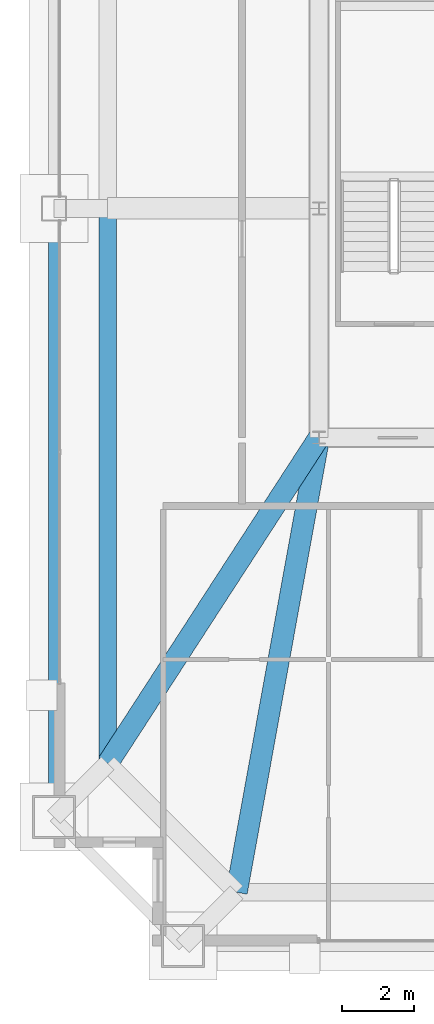
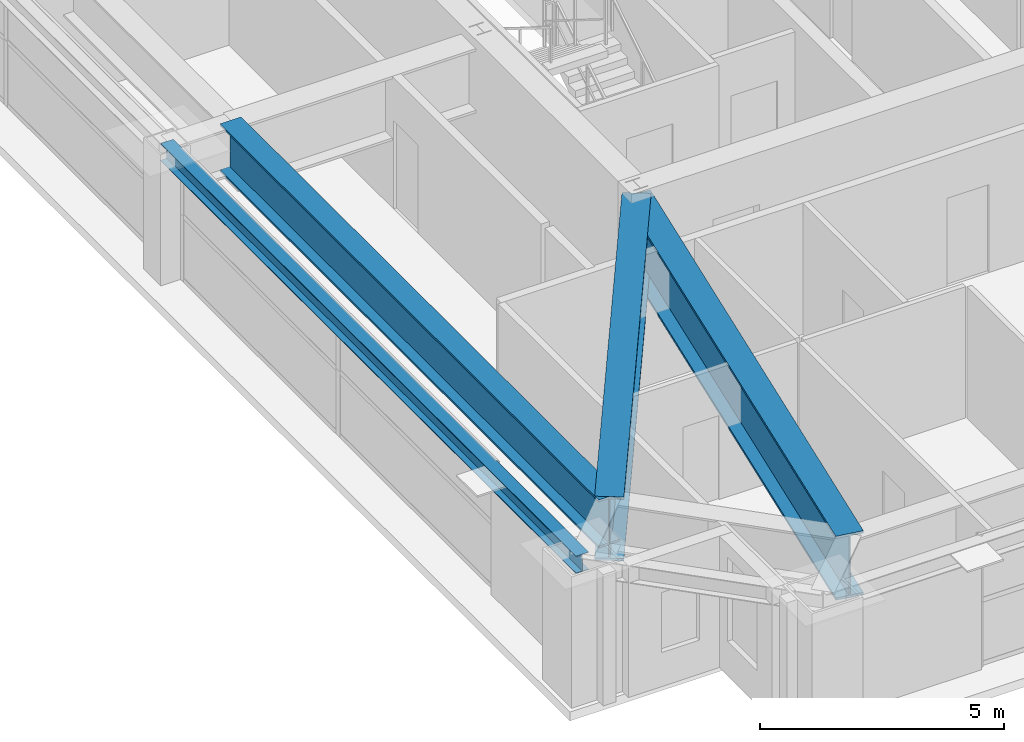
# One storey, part 7 of 33: 4 beams.
"""IFC4 building model written with IfcOpenShell, lengths in metres."""

from ifc_helpers import new_model, si_unit, direction, frame, origin, origin_2d, place, context, subcontext, project, spatial, i_section, extrude, source, transform, mapped, material, material_profile, profile_set, type_object, element, save


model = new_model("IFC4")

# Units and contexts
model_context = context("Model", 3, precision=1e-05, world=origin(), true_north=direction((0.0, 1.0)))
body_context = subcontext(model_context, "Body", "Model", "MODEL_VIEW")
ifc_project = project(units=[si_unit("LENGTHUNIT", "METRE"), si_unit("AREAUNIT", "SQUARE_METRE"), si_unit("VOLUMEUNIT", "CUBIC_METRE"), si_unit("PLANEANGLEUNIT", "RADIAN"), si_unit("MASSUNIT", "GRAM", prefix="KILO"), si_unit("THERMODYNAMICTEMPERATUREUNIT", "KELVIN"), si_unit("POWERUNIT", "WATT")], contexts=[model_context])

# Site, building, storey
site_placement = place(None, origin())
site = spatial("IfcSite", under=ifc_project, at=site_placement, CompositionType="ELEMENT")
building_placement = place(site_placement, origin())
building = spatial("IfcBuilding", under=site, at=building_placement, Name="Yuzanri Waterfront Tower", CompositionType="ELEMENT")
storey_placement = place(building_placement, frame((0.0, 0.0, 282.10009765625)))
storey = spatial("IfcBuildingStorey", under=building, at=storey_placement, Name="L75", CompositionType="ELEMENT", Elevation=282.10009765625)

# Beams
ifc_material_1 = material(Name="Steel Q355B", Category="steel")
ifc_material_profile_1 = material_profile(ifc_material_1, i_section(OverallWidth=0.300048828125, OverallDepth=0.43994140625, WebThickness=0.010986328125, FlangeThickness=0.01806640625, at=origin_2d()), Name="HM 440x300x11x18")
ifc_profile_set_1 = profile_set([ifc_material_profile_1], Name="Steel Q355B")
beam_type_1 = type_object("IfcBeamType", Name="Perimeter Spandrel Q355B HM 440x300", PredefinedType="SPANDREL", material=ifc_profile_set_1)
shared_shape_1 = source(origin(), body_context, "Body", "SweptSolid", [
    extrude(i_section(OverallWidth=0.300048828125, OverallDepth=0.43994140625, WebThickness=0.010986328125, FlangeThickness=0.01806640625, at=origin_2d()), origin(), (0.0, 0.0, 1.0), 17.0),
])
beam_1_placement = place(storey_placement, frame((16.39990234375, 25.800048828125, 3.059814453125), z_axis=(0.0, -1.0, 0.0), x_axis=(1.0, 0.0, 0.0)))
element("IfcBeam", 1, at=beam_1_placement, inside=storey, type_object=beam_type_1, Name="L75 Perimeter Spandrel W2-W1", PredefinedType="SPANDREL", context=body_context, shape_type="MappedRepresentation", body=[
    mapped(shared_shape_1, transform((0.0, 0.0, 0.0), scale=1.0)),
])
ifc_material_2 = material(Name="Steel Q420GJC", Category="steel")
ifc_material_profile_2 = material_profile(ifc_material_2, i_section(OverallWidth=0.60009765625, OverallDepth=1.60009765625, WebThickness=0.031982421875, FlangeThickness=0.06005859375, at=origin_2d()), Name="PG 1600x600x32x60")
ifc_profile_set_2 = profile_set([ifc_material_profile_2], Name="Steel Q420GJC")
beam_type_2 = type_object("IfcBeamType", Name="Ballroom Transfer Girder Q420GJC PG 1600x600", PredefinedType="USERDEFINED", material=ifc_profile_set_2)
shared_shape_2 = source(origin(), body_context, "Body", "SweptSolid", [
    extrude(i_section(OverallWidth=0.60009765625, OverallDepth=1.60009765625, WebThickness=0.031982421875, FlangeThickness=0.06005859375, at=origin_2d()), origin(), (0.0, 0.0, 1.0), 12.906494140625),
])
beam_2_placement = place(storey_placement, frame((23.800048828125, 19.39990234375, 2.47998046875), z_axis=(-0.178207899331, -0.983992858011, 0.0), x_axis=(0.983992858011, -0.178207899331, 0.0)))
element("IfcBeam", 2, at=beam_2_placement, inside=storey, type_object=beam_type_2, Name="L75 Setback Inner Transfer S1", ObjectType="GIRDER", PredefinedType="USERDEFINED", context=body_context, shape_type="MappedRepresentation", body=[
    mapped(shared_shape_2, transform((0.0, 0.0, 0.0), scale=1.0)),
])
shared_shape_3 = source(origin(), body_context, "Body", "SweptSolid", [
    extrude(i_section(OverallWidth=0.60009765625, OverallDepth=1.60009765625, WebThickness=0.031982421875, FlangeThickness=0.06005859375, at=origin_2d()), origin(), (0.0, 0.0, 1.0), 10.84521484375),
])
beam_3_placement = place(storey_placement, frame((23.800048828125, 19.39990234375, 2.47998046875), z_axis=(-0.544031363156, -0.839064881819, 0.0), x_axis=(0.839064881819, -0.544031363156, 0.0)))
element("IfcBeam", 3, at=beam_3_placement, inside=storey, type_object=beam_type_2, Name="L75 Setback Inner Transfer W1", ObjectType="GIRDER", PredefinedType="USERDEFINED", context=body_context, shape_type="MappedRepresentation", body=[
    mapped(shared_shape_3, transform((0.0, 0.0, 0.0), scale=1.0)),
])
ifc_material_3 = material(Name="Steel Q420GJC", Category="steel")
ifc_material_profile_3 = material_profile(ifc_material_3, i_section(OverallWidth=0.5, OverallDepth=1.199951171875, WebThickness=0.028076171875, FlangeThickness=0.050048828125, at=origin_2d()), Name="PG 1200x500x28x50")
ifc_profile_set_3 = profile_set([ifc_material_profile_3], Name="Steel Q420GJC")
beam_type_3 = type_object("IfcBeamType", Name="Setback Transfer Girder Q420GJC PG 1200x500", PredefinedType="USERDEFINED", material=ifc_profile_set_3)
shared_shape_4 = source(origin(), body_context, "Body", "SweptSolid", [
    extrude(i_section(OverallWidth=0.5, OverallDepth=1.199951171875, WebThickness=0.028076171875, FlangeThickness=0.050048828125, at=origin_2d()), origin(), (0.0, 0.0, 1.0), 15.5),
])
beam_4_placement = place(storey_placement, frame((17.89990234375, 25.800048828125, 2.679931640625), z_axis=(0.0, -1.0, 0.0), x_axis=(1.0, 0.0, 0.0)))
element("IfcBeam", 4, at=beam_4_placement, inside=storey, type_object=beam_type_3, Name="L75 Setback Upper Ring W2-W1", ObjectType="GIRDER", PredefinedType="USERDEFINED", context=body_context, shape_type="MappedRepresentation", body=[
    mapped(shared_shape_4, transform((0.0, 0.0, 0.0), scale=1.0)),
])

save(model, "model.ifc")
